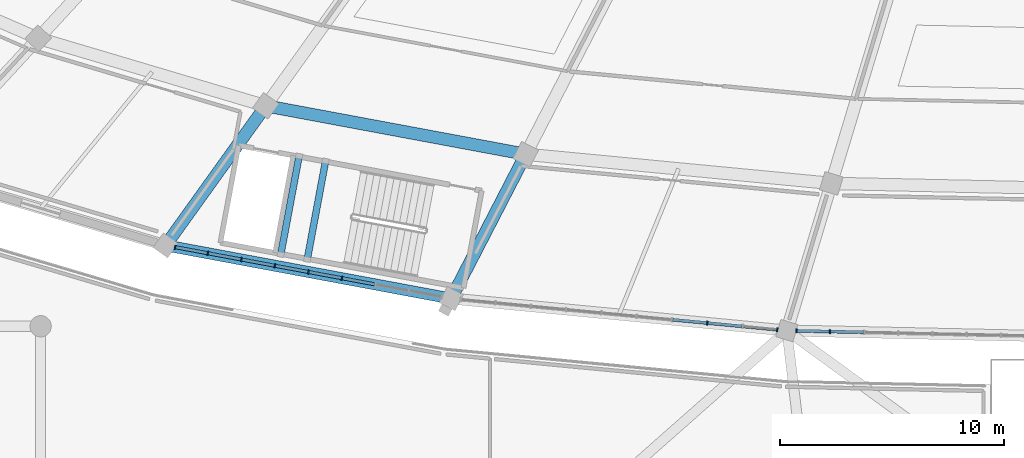
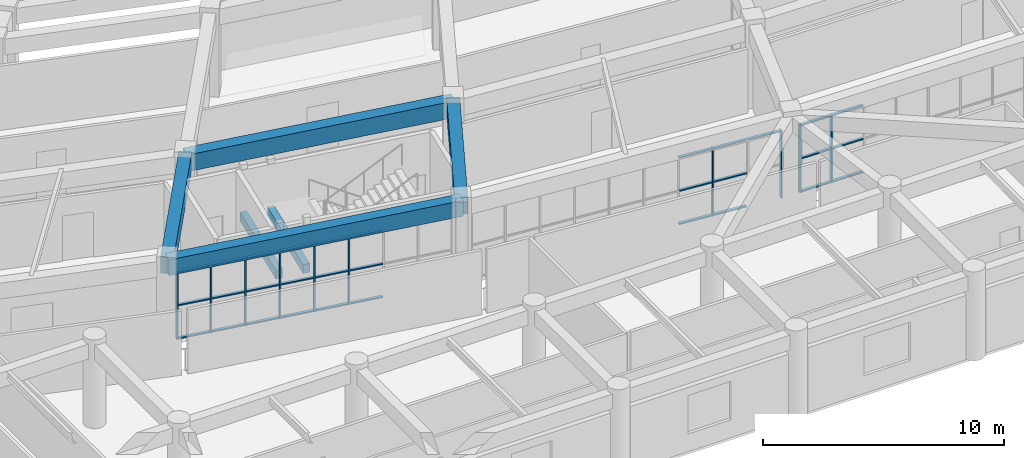
# One storey, part 21 of 145: 41 members, 6 beams, 3 elements without a shape of their own.
"""IFC4 building model written with IfcOpenShell, lengths in metres."""

from ifc_helpers import new_model, si_unit, direction, frame, origin, origin_2d, place, context, subcontext, project, spatial, rectangle, extrude, material, layer, layer_set, material_profile, profile_set, type_object, element, aggregate, save


model = new_model("IFC4")

# Units and contexts
model_context = context("Model", 3, precision=1e-05, world=origin(), true_north=direction((0.0, 1.0)))
body_context = subcontext(model_context, "Body", "Model", "MODEL_VIEW")
ifc_project = project(units=[si_unit("LENGTHUNIT", "METRE"), si_unit("AREAUNIT", "SQUARE_METRE"), si_unit("VOLUMEUNIT", "CUBIC_METRE"), si_unit("PLANEANGLEUNIT", "RADIAN"), si_unit("MASSUNIT", "GRAM", prefix="KILO")], contexts=[model_context])

# Site, building, storey
site_placement = place(None, origin())
site = spatial("IfcSite", under=ifc_project, at=site_placement, CompositionType="ELEMENT")
building_placement = place(site_placement, origin())
building = spatial("IfcBuilding", under=site, at=building_placement, Name="Mphavela Belvedere Stadium", CompositionType="ELEMENT")
storey_placement = place(building_placement, frame((0.0, 0.0, 10.199951171875)))
storey = spatial("IfcBuildingStorey", under=building, at=storey_placement, Name="L02", CompositionType="ELEMENT", Elevation=10.199951171875)

# Beams
ifc_material_1 = material(Name="Concrete C40/50", Category="concrete")
ifc_material_profile_1 = material_profile(ifc_material_1, rectangle(XDim=0.300048828125, YDim=0.449951171875, at=origin_2d()), Name="RC 300x450")
ifc_profile_set_1 = profile_set([ifc_material_profile_1], Name="Concrete C40/50")
beam_type_1 = type_object("IfcBeamType", Name="BM-RC300x450", PredefinedType="BEAM", material=ifc_profile_set_1)
for number, where, z_axis, x_axis, name in (
    (1, (72.329833984375, 21.36865234375, 1.824951171875), (-0.18307487535, -0.983098972645, 0.0), (0.983098972645, -0.18307487535, 0.0), "Core C11 landing trimmer beam L02-1"),
    (2, (71.150146484375, 21.58837890625, 1.824951171875), (-0.18307487535, -0.983098972645, 0.0), (0.983098972645, -0.18307487535, 0.0), "Core C11 landing trimmer beam L02-2"),
):
    element("IfcBeam", number, at=place(storey_placement, frame(where, z_axis=z_axis, x_axis=x_axis)), inside=storey, type_object=beam_type_1, Name=name, PredefinedType="BEAM", context=body_context, shape_type="SweptSolid", body=[
        extrude(rectangle(XDim=0.300048828125, YDim=0.449951171875, at=origin_2d()), origin(), (0.0, 0.0, 1.0), 4.469970703125),
    ])
ifc_material_2 = material(Name="Concrete C40/50", Category="concrete")
ifc_material_profile_2 = material_profile(ifc_material_2, rectangle(XDim=0.550048828125, YDim=0.85009765625, at=origin_2d()), Name="RC 550x850")
ifc_profile_set_2 = profile_set([ifc_material_profile_2], Name="Concrete C40/50")
beam_type_2 = type_object("IfcBeamType", Name="BM-RC550x850", PredefinedType="BEAM", material=ifc_profile_set_2)
beam_1_placement = place(storey_placement, frame((69.662109375, 23.822509765625, 3.824951171875), z_axis=(0.983097725009, -0.18308157494, 0.0), x_axis=(0.18308157494, 0.983097725009, 0.0)))
element("IfcBeam", 3, at=beam_1_placement, inside=storey, type_object=beam_type_2, Name="Circumferential girder L02 R3-34", PredefinedType="BEAM", context=body_context, shape_type="SweptSolid", body=[
    extrude(rectangle(XDim=0.550048828125, YDim=0.85009765625, at=origin_2d()), origin(), (0.0, 0.0, 1.0), 11.786865234375),
])
beam_2_placement = place(storey_placement, frame((69.662109375, 23.822509765625, 3.824951171875), z_axis=(-0.583043812448, -0.812440713385, 0.0), x_axis=(0.812440713385, -0.583043812448, 0.0)))
element("IfcBeam", 4, at=beam_2_placement, inside=storey, type_object=beam_type_2, Name="Radial concourse girder L02 R3R4-34", PredefinedType="BEAM", context=body_context, shape_type="SweptSolid", body=[
    extrude(rectangle(XDim=0.550048828125, YDim=0.85009765625, at=origin_2d()), origin(), (0.0, 0.0, 1.0), 7.6552734375),
])
beam_3_placement = place(storey_placement, frame((81.249755859375, 21.66455078125, 3.824951171875), z_axis=(-0.458951286165, -0.888461432436, 0.0), x_axis=(0.888461432436, -0.458951286165, 0.0)))
element("IfcBeam", 5, at=beam_3_placement, inside=storey, type_object=beam_type_2, Name="Radial concourse girder L02 R3R4-35", PredefinedType="BEAM", context=body_context, shape_type="SweptSolid", body=[
    extrude(rectangle(XDim=0.550048828125, YDim=0.85009765625, at=origin_2d()), origin(), (0.0, 0.0, 1.0), 7.2392578125),
])
ifc_material_3 = material(Name="Concrete C40/50", Category="concrete")
ifc_material_profile_3 = material_profile(ifc_material_3, rectangle(XDim=0.5, YDim=0.800048828125, at=origin_2d()), Name="RC 500x800")
ifc_profile_set_3 = profile_set([ifc_material_profile_3], Name="Concrete C40/50")
beam_type_3 = type_object("IfcBeamType", Name="BM-SPANDREL-800", PredefinedType="SPANDREL", material=ifc_profile_set_3)
beam_4_placement = place(storey_placement, frame((65.19873046875, 17.60302734375, 3.85009765625), z_axis=(0.983098571421, -0.183077029882, 0.0), x_axis=(0.183077029882, 0.983098571421, 0.0)))
element("IfcBeam", 6, at=beam_4_placement, inside=storey, type_object=beam_type_3, Name="Circumferential girder L02 R4-34", PredefinedType="SPANDREL", context=body_context, shape_type="SweptSolid", body=[
    extrude(rectangle(XDim=0.5, YDim=0.800048828125, at=origin_2d()), origin(), (0.0, 0.0, 1.0), 12.947265625),
])

# Curtain wall, members
ifc_material_4 = material(Name="Anodised bronze unitised curtain wall framing")
ifc_layer_1 = layer(ifc_material_4, 0.18505859375)
ifc_layer_set_1 = layer_set([ifc_layer_1], Name="Anodised bronze unitised curtain wall framing")
curtain_wall_type_1 = type_object("IfcCurtainWallType", Name="CW-UNIT-02", PredefinedType="USERDEFINED", material=ifc_layer_set_1)
curtain_wall_1_placement = place(storey_placement, origin())
curtain_wall_1 = element("IfcCurtainWall", 7, at=curtain_wall_1_placement, inside=storey, type_object=curtain_wall_type_1, Name="Belvedere colonnade curtain wall L02-34", ObjectType="UNITISED CURTAIN WALL", PredefinedType="USERDEFINED")
ifc_material_5 = material(Name="Anodised bronze extruded aluminium", Category="aluminium")
ifc_material_profile_4 = material_profile(ifc_material_5, rectangle(XDim=0.179931640625, YDim=0.06494140625, at=origin_2d()), Name="CW-MUL 180x65")
ifc_profile_set_4 = profile_set([ifc_material_profile_4], Name="Anodised bronze extruded aluminium")
member_type_1 = type_object("IfcMemberType", Name="CWM-180x65", PredefinedType="MULLION", material=ifc_profile_set_4)
member_1_placement = place(storey_placement, frame((65.6220703125, 17.524169921875, 0.0), z_axis=(0.0, 0.0, 1.0), x_axis=(0.1830849431, 0.983097097753, 0.0)))
member_1 = element("IfcMember", 8, at=member_1_placement, type_object=member_type_1, Name="CW-02 mullion 1", PredefinedType="MULLION", context=body_context, shape_type="SweptSolid", body=[
    extrude(rectangle(XDim=0.179931640625, YDim=0.06494140625, at=origin_2d()), origin(), (0.0, 0.0, 1.0), 3.420166015625),
])
member_2_placement = place(storey_placement, frame((67.083251953125, 17.252197265625, 0.0), z_axis=(0.0, 0.0, 1.0), x_axis=(0.1830849431, 0.983097097753, 0.0)))
member_2 = element("IfcMember", 9, at=member_2_placement, type_object=member_type_1, Name="CW-02 mullion 2", PredefinedType="MULLION", context=body_context, shape_type="SweptSolid", body=[
    extrude(rectangle(XDim=0.179931640625, YDim=0.06494140625, at=origin_2d()), origin(), (0.0, 0.0, 1.0), 3.420166015625),
])
member_3_placement = place(storey_placement, frame((68.57666015625, 16.97412109375, 0.0), z_axis=(0.0, 0.0, 1.0), x_axis=(0.1830849431, 0.983097097753, 0.0)))
member_3 = element("IfcMember", 10, at=member_3_placement, type_object=member_type_1, Name="CW-02 mullion 3", PredefinedType="MULLION", context=body_context, shape_type="SweptSolid", body=[
    extrude(rectangle(XDim=0.179931640625, YDim=0.06494140625, at=origin_2d()), origin(), (0.0, 0.0, 1.0), 3.420166015625),
])
member_4_placement = place(storey_placement, frame((70.06982421875, 16.696044921875, 0.0), z_axis=(0.0, 0.0, 1.0), x_axis=(0.1830849431, 0.983097097753, 0.0)))
member_4 = element("IfcMember", 11, at=member_4_placement, type_object=member_type_1, Name="CW-02 mullion 4", PredefinedType="MULLION", context=body_context, shape_type="SweptSolid", body=[
    extrude(rectangle(XDim=0.179931640625, YDim=0.06494140625, at=origin_2d()), origin(), (0.0, 0.0, 1.0), 3.420166015625),
])
member_5_placement = place(storey_placement, frame((71.56298828125, 16.41796875, 0.0), z_axis=(0.0, 0.0, 1.0), x_axis=(0.1830849431, 0.983097097753, 0.0)))
member_5 = element("IfcMember", 12, at=member_5_placement, type_object=member_type_1, Name="CW-02 mullion 5", PredefinedType="MULLION", context=body_context, shape_type="SweptSolid", body=[
    extrude(rectangle(XDim=0.179931640625, YDim=0.06494140625, at=origin_2d()), origin(), (0.0, 0.0, 1.0), 3.420166015625),
])
member_6_placement = place(storey_placement, frame((73.05615234375, 16.1396484375, 0.0), z_axis=(0.0, 0.0, 1.0), x_axis=(0.1830849431, 0.983097097753, 0.0)))
member_6 = element("IfcMember", 13, at=member_6_placement, type_object=member_type_1, Name="CW-02 mullion 6", PredefinedType="MULLION", context=body_context, shape_type="SweptSolid", body=[
    extrude(rectangle(XDim=0.179931640625, YDim=0.06494140625, at=origin_2d()), origin(), (0.0, 0.0, 1.0), 3.420166015625),
])

ifc_material_6 = material(Name="Anodised bronze unitised curtain wall framing")
ifc_layer_2 = layer(ifc_material_6, 0.18994140625)
ifc_layer_set_2 = layer_set([ifc_layer_2], Name="Anodised bronze unitised curtain wall framing")
curtain_wall_type_2 = type_object("IfcCurtainWallType", Name="CW-UNIT-03", PredefinedType="USERDEFINED", material=ifc_layer_set_2)
curtain_wall_2_placement = place(storey_placement, origin())
curtain_wall_2 = element("IfcCurtainWall", 14, at=curtain_wall_2_placement, inside=storey, type_object=curtain_wall_type_2, Name="Belvedere colonnade curtain wall L02-35", ObjectType="UNITISED CURTAIN WALL", PredefinedType="USERDEFINED")
member_7_placement = place(storey_placement, frame((89.34130859375, 14.144287109375, 0.0), z_axis=(0.0, 0.0, 1.0), x_axis=(0.094925825406, 0.99548434828, 0.0)))
member_7 = element("IfcMember", 15, at=member_7_placement, type_object=member_type_1, Name="CW-03 mullion 8", PredefinedType="MULLION", context=body_context, shape_type="SweptSolid", body=[
    extrude(rectangle(XDim=0.179931640625, YDim=0.06494140625, at=origin_2d()), origin(), (0.0, 0.0, 1.0), 3.420166015625),
])
member_8_placement = place(storey_placement, frame((92.456787109375, 13.84716796875, 0.0), z_axis=(0.0, 0.0, 1.0), x_axis=(0.094925825406, 0.99548434828, 0.0)))
member_8 = element("IfcMember", 16, at=member_8_placement, type_object=member_type_1, Name="CW-03 mullion 10", PredefinedType="MULLION", context=body_context, shape_type="SweptSolid", body=[
    extrude(rectangle(XDim=0.179931640625, YDim=0.06494140625, at=origin_2d()), origin(), (0.0, 0.0, 1.0), 3.420166015625),
])

ifc_material_7 = material(Name="Anodised bronze unitised curtain wall framing")
ifc_layer_3 = layer(ifc_material_7, 0.195068359375)
ifc_layer_set_3 = layer_set([ifc_layer_3], Name="Anodised bronze unitised curtain wall framing")
curtain_wall_type_3 = type_object("IfcCurtainWallType", Name="CW-UNIT-04", PredefinedType="USERDEFINED", material=ifc_layer_set_3)
curtain_wall_3_placement = place(storey_placement, origin())
curtain_wall_3 = element("IfcCurtainWall", 17, at=curtain_wall_3_placement, inside=storey, type_object=curtain_wall_type_3, Name="Belvedere colonnade curtain wall L02-36", ObjectType="UNITISED CURTAIN WALL", PredefinedType="USERDEFINED")
member_9_placement = place(storey_placement, frame((93.315673828125, 13.796875, 0.0), z_axis=(0.0, 0.0, 1.0), x_axis=(0.021525304021, 0.999768303802, 0.0)))
member_9 = element("IfcMember", 18, at=member_9_placement, type_object=member_type_1, Name="CW-04 mullion 1", PredefinedType="MULLION", context=body_context, shape_type="SweptSolid", body=[
    extrude(rectangle(XDim=0.179931640625, YDim=0.06494140625, at=origin_2d()), origin(), (0.0, 0.0, 1.0), 3.420166015625),
])
member_10_placement = place(storey_placement, frame((94.80615234375, 13.764892578125, 0.0), z_axis=(0.0, 0.0, 1.0), x_axis=(0.021525304021, 0.999768303802, 0.0)))
member_10 = element("IfcMember", 19, at=member_10_placement, type_object=member_type_1, Name="CW-04 mullion 2", PredefinedType="MULLION", context=body_context, shape_type="SweptSolid", body=[
    extrude(rectangle(XDim=0.179931640625, YDim=0.06494140625, at=origin_2d()), origin(), (0.0, 0.0, 1.0), 3.420166015625),
])

# Member
ifc_material_8 = material(Name="Anodised bronze extruded aluminium", Category="aluminium")
ifc_material_profile_5 = material_profile(ifc_material_8, rectangle(XDim=0.139892578125, YDim=0.06005859375, at=origin_2d()), Name="CW-TRN 140x60")
ifc_profile_set_5 = profile_set([ifc_material_profile_5], Name="Anodised bronze extruded aluminium")
member_type_2 = type_object("IfcMemberType", Name="CWT-140x60", PredefinedType="USERDEFINED", material=ifc_profile_set_5)
member_11_placement = place(storey_placement, frame((65.654052734375, 17.518310546875, 0.030029296875), z_axis=(0.98309123567, -0.183116417477, 0.0), x_axis=(0.183116417477, 0.98309123567, 0.0)))
member_11 = element("IfcMember", 20, at=member_11_placement, type_object=member_type_2, Name="CW-02 transom 1.1", ObjectType="TRANSOM", PredefinedType="USERDEFINED", context=body_context, shape_type="SweptSolid", body=[
    extrude(rectangle(XDim=0.139892578125, YDim=0.06005859375, at=origin_2d()), origin(), (0.0, 0.0, 1.0), 1.421142578125),
])

member_12_placement = place(storey_placement, frame((65.654052734375, 17.518310546875, 1.7099609375), z_axis=(0.98309123567, -0.183116417477, 0.0), x_axis=(0.183116417477, 0.98309123567, 0.0)))
member_12 = element("IfcMember", 21, at=member_12_placement, type_object=member_type_2, Name="CW-02 transom 1.2", ObjectType="TRANSOM", PredefinedType="USERDEFINED", context=body_context, shape_type="SweptSolid", body=[
    extrude(rectangle(XDim=0.139892578125, YDim=0.06005859375, at=origin_2d()), origin(), (0.0, 0.0, 1.0), 1.421142578125),
])

member_13_placement = place(storey_placement, frame((65.654052734375, 17.518310546875, 3.39013671875), z_axis=(0.98309123567, -0.183116417477, 0.0), x_axis=(0.183116417477, 0.98309123567, 0.0)))
member_13 = element("IfcMember", 22, at=member_13_placement, type_object=member_type_2, Name="CW-02 transom 1.3", ObjectType="TRANSOM", PredefinedType="USERDEFINED", context=body_context, shape_type="SweptSolid", body=[
    extrude(rectangle(XDim=0.139892578125, YDim=0.06005859375, at=origin_2d()), origin(), (0.0, 0.0, 1.0), 1.421142578125),
])

member_14_placement = place(storey_placement, frame((67.115234375, 17.24609375, 0.030029296875), z_axis=(0.983108977499, -0.18302114184, 0.0), x_axis=(0.18302114184, 0.983108977499, 0.0)))
member_14 = element("IfcMember", 23, at=member_14_placement, type_object=member_type_2, Name="CW-02 transom 2.1", ObjectType="TRANSOM", PredefinedType="USERDEFINED", context=body_context, shape_type="SweptSolid", body=[
    extrude(rectangle(XDim=0.139892578125, YDim=0.06005859375, at=origin_2d()), origin(), (0.0, 0.0, 1.0), 1.4541015625),
])

member_15_placement = place(storey_placement, frame((67.115234375, 17.24609375, 1.7099609375), z_axis=(0.983108977499, -0.18302114184, 0.0), x_axis=(0.18302114184, 0.983108977499, 0.0)))
member_15 = element("IfcMember", 24, at=member_15_placement, type_object=member_type_2, Name="CW-02 transom 2.2", ObjectType="TRANSOM", PredefinedType="USERDEFINED", context=body_context, shape_type="SweptSolid", body=[
    extrude(rectangle(XDim=0.139892578125, YDim=0.06005859375, at=origin_2d()), origin(), (0.0, 0.0, 1.0), 1.4541015625),
])

member_16_placement = place(storey_placement, frame((67.115234375, 17.24609375, 3.39013671875), z_axis=(0.983108977499, -0.18302114184, 0.0), x_axis=(0.18302114184, 0.983108977499, 0.0)))
member_16 = element("IfcMember", 25, at=member_16_placement, type_object=member_type_2, Name="CW-02 transom 2.3", ObjectType="TRANSOM", PredefinedType="USERDEFINED", context=body_context, shape_type="SweptSolid", body=[
    extrude(rectangle(XDim=0.139892578125, YDim=0.06005859375, at=origin_2d()), origin(), (0.0, 0.0, 1.0), 1.4541015625),
])

member_17_placement = place(storey_placement, frame((68.6083984375, 16.968017578125, 0.030029296875), z_axis=(0.983108977499, -0.18302114184, 0.0), x_axis=(0.18302114184, 0.983108977499, 0.0)))
member_17 = element("IfcMember", 26, at=member_17_placement, type_object=member_type_2, Name="CW-02 transom 3.1", ObjectType="TRANSOM", PredefinedType="USERDEFINED", context=body_context, shape_type="SweptSolid", body=[
    extrude(rectangle(XDim=0.139892578125, YDim=0.06005859375, at=origin_2d()), origin(), (0.0, 0.0, 1.0), 1.4541015625),
])

member_18_placement = place(storey_placement, frame((68.6083984375, 16.968017578125, 1.7099609375), z_axis=(0.983108977499, -0.18302114184, 0.0), x_axis=(0.18302114184, 0.983108977499, 0.0)))
member_18 = element("IfcMember", 27, at=member_18_placement, type_object=member_type_2, Name="CW-02 transom 3.2", ObjectType="TRANSOM", PredefinedType="USERDEFINED", context=body_context, shape_type="SweptSolid", body=[
    extrude(rectangle(XDim=0.139892578125, YDim=0.06005859375, at=origin_2d()), origin(), (0.0, 0.0, 1.0), 1.4541015625),
])

member_19_placement = place(storey_placement, frame((68.6083984375, 16.968017578125, 3.39013671875), z_axis=(0.983108977499, -0.18302114184, 0.0), x_axis=(0.18302114184, 0.983108977499, 0.0)))
member_19 = element("IfcMember", 28, at=member_19_placement, type_object=member_type_2, Name="CW-02 transom 3.3", ObjectType="TRANSOM", PredefinedType="USERDEFINED", context=body_context, shape_type="SweptSolid", body=[
    extrude(rectangle(XDim=0.139892578125, YDim=0.06005859375, at=origin_2d()), origin(), (0.0, 0.0, 1.0), 1.4541015625),
])

member_20_placement = place(storey_placement, frame((70.101806640625, 16.68994140625, 0.030029296875), z_axis=(0.983103351692, -0.183051358617, 0.0), x_axis=(0.183051358617, 0.983103351692, 0.0)))
member_20 = element("IfcMember", 29, at=member_20_placement, type_object=member_type_2, Name="CW-02 transom 4.1", ObjectType="TRANSOM", PredefinedType="USERDEFINED", context=body_context, shape_type="SweptSolid", body=[
    extrude(rectangle(XDim=0.139892578125, YDim=0.06005859375, at=origin_2d()), origin(), (0.0, 0.0, 1.0), 1.453857421875),
])

member_21_placement = place(storey_placement, frame((70.101806640625, 16.68994140625, 1.7099609375), z_axis=(0.983103351692, -0.183051358617, 0.0), x_axis=(0.183051358617, 0.983103351692, 0.0)))
member_21 = element("IfcMember", 30, at=member_21_placement, type_object=member_type_2, Name="CW-02 transom 4.2", ObjectType="TRANSOM", PredefinedType="USERDEFINED", context=body_context, shape_type="SweptSolid", body=[
    extrude(rectangle(XDim=0.139892578125, YDim=0.06005859375, at=origin_2d()), origin(), (0.0, 0.0, 1.0), 1.453857421875),
])

member_22_placement = place(storey_placement, frame((70.101806640625, 16.68994140625, 3.39013671875), z_axis=(0.983103351692, -0.183051358617, 0.0), x_axis=(0.183051358617, 0.983103351692, 0.0)))
member_22 = element("IfcMember", 31, at=member_22_placement, type_object=member_type_2, Name="CW-02 transom 4.3", ObjectType="TRANSOM", PredefinedType="USERDEFINED", context=body_context, shape_type="SweptSolid", body=[
    extrude(rectangle(XDim=0.139892578125, YDim=0.06005859375, at=origin_2d()), origin(), (0.0, 0.0, 1.0), 1.453857421875),
])

member_23_placement = place(storey_placement, frame((71.594970703125, 16.411865234375, 0.030029296875), z_axis=(0.983103351692, -0.183051358617, 0.0), x_axis=(0.183051358617, 0.983103351692, 0.0)))
member_23 = element("IfcMember", 32, at=member_23_placement, type_object=member_type_2, Name="CW-02 transom 5.1", ObjectType="TRANSOM", PredefinedType="USERDEFINED", context=body_context, shape_type="SweptSolid", body=[
    extrude(rectangle(XDim=0.139892578125, YDim=0.06005859375, at=origin_2d()), origin(), (0.0, 0.0, 1.0), 1.453857421875),
])

member_24_placement = place(storey_placement, frame((71.594970703125, 16.411865234375, 1.7099609375), z_axis=(0.983103351692, -0.183051358617, 0.0), x_axis=(0.183051358617, 0.983103351692, 0.0)))
member_24 = element("IfcMember", 33, at=member_24_placement, type_object=member_type_2, Name="CW-02 transom 5.2", ObjectType="TRANSOM", PredefinedType="USERDEFINED", context=body_context, shape_type="SweptSolid", body=[
    extrude(rectangle(XDim=0.139892578125, YDim=0.06005859375, at=origin_2d()), origin(), (0.0, 0.0, 1.0), 1.453857421875),
])

member_25_placement = place(storey_placement, frame((71.594970703125, 16.411865234375, 3.39013671875), z_axis=(0.983103351692, -0.183051358617, 0.0), x_axis=(0.183051358617, 0.983103351692, 0.0)))
member_25 = element("IfcMember", 34, at=member_25_placement, type_object=member_type_2, Name="CW-02 transom 5.3", ObjectType="TRANSOM", PredefinedType="USERDEFINED", context=body_context, shape_type="SweptSolid", body=[
    extrude(rectangle(XDim=0.139892578125, YDim=0.06005859375, at=origin_2d()), origin(), (0.0, 0.0, 1.0), 1.453857421875),
])

member_26_placement = place(storey_placement, frame((73.088134765625, 16.1337890625, 0.030029296875), z_axis=(0.983108977499, -0.18302114184, 0.0), x_axis=(0.18302114184, 0.983108977499, 0.0)))
member_26 = element("IfcMember", 35, at=member_26_placement, type_object=member_type_2, Name="CW-02 transom 6.1", ObjectType="TRANSOM", PredefinedType="USERDEFINED", context=body_context, shape_type="SweptSolid", body=[
    extrude(rectangle(XDim=0.139892578125, YDim=0.06005859375, at=origin_2d()), origin(), (0.0, 0.0, 1.0), 1.4541015625),
])

member_27_placement = place(storey_placement, frame((73.088134765625, 16.1337890625, 1.7099609375), z_axis=(0.983108977499, -0.18302114184, 0.0), x_axis=(0.18302114184, 0.983108977499, 0.0)))
member_27 = element("IfcMember", 36, at=member_27_placement, type_object=member_type_2, Name="CW-02 transom 6.2", ObjectType="TRANSOM", PredefinedType="USERDEFINED", context=body_context, shape_type="SweptSolid", body=[
    extrude(rectangle(XDim=0.139892578125, YDim=0.06005859375, at=origin_2d()), origin(), (0.0, 0.0, 1.0), 1.4541015625),
])

member_28_placement = place(storey_placement, frame((73.088134765625, 16.1337890625, 3.39013671875), z_axis=(0.983108977499, -0.18302114184, 0.0), x_axis=(0.18302114184, 0.983108977499, 0.0)))
member_28 = element("IfcMember", 37, at=member_28_placement, type_object=member_type_2, Name="CW-02 transom 6.3", ObjectType="TRANSOM", PredefinedType="USERDEFINED", context=body_context, shape_type="SweptSolid", body=[
    extrude(rectangle(XDim=0.139892578125, YDim=0.06005859375, at=origin_2d()), origin(), (0.0, 0.0, 1.0), 1.4541015625),
])

aggregate(curtain_wall_1, [member_1, member_2, member_3, member_4, member_5, member_6, member_11, member_12, member_13, member_14, member_15, member_16, member_17, member_18, member_19, member_20, member_21, member_22, member_23, member_24, member_25, member_26, member_27, member_28])

member_29_placement = place(storey_placement, frame((87.799560546875, 14.291259765625, 0.030029296875), z_axis=(0.995476636203, -0.095006666994, 0.0), x_axis=(0.095006666994, 0.995476636203, 0.0)))
member_29 = element("IfcMember", 38, at=member_29_placement, type_object=member_type_2, Name="CW-03 transom 7.1", ObjectType="TRANSOM", PredefinedType="USERDEFINED", context=body_context, shape_type="SweptSolid", body=[
    extrude(rectangle(XDim=0.139892578125, YDim=0.06005859375, at=origin_2d()), origin(), (0.0, 0.0, 1.0), 1.51611328125),
])

member_30_placement = place(storey_placement, frame((87.799560546875, 14.291259765625, 1.7099609375), z_axis=(0.995476636203, -0.095006666994, 0.0), x_axis=(0.095006666994, 0.995476636203, 0.0)))
member_30 = element("IfcMember", 39, at=member_30_placement, type_object=member_type_2, Name="CW-03 transom 7.2", ObjectType="TRANSOM", PredefinedType="USERDEFINED", context=body_context, shape_type="SweptSolid", body=[
    extrude(rectangle(XDim=0.139892578125, YDim=0.06005859375, at=origin_2d()), origin(), (0.0, 0.0, 1.0), 1.51611328125),
])

member_31_placement = place(storey_placement, frame((87.799560546875, 14.291259765625, 3.39013671875), z_axis=(0.995476636203, -0.095006666994, 0.0), x_axis=(0.095006666994, 0.995476636203, 0.0)))
member_31 = element("IfcMember", 40, at=member_31_placement, type_object=member_type_2, Name="CW-03 transom 7.3", ObjectType="TRANSOM", PredefinedType="USERDEFINED", context=body_context, shape_type="SweptSolid", body=[
    extrude(rectangle(XDim=0.139892578125, YDim=0.06005859375, at=origin_2d()), origin(), (0.0, 0.0, 1.0), 1.51611328125),
])

member_32_placement = place(storey_placement, frame((89.37353515625, 14.14111328125, 0.030029296875), z_axis=(0.995476636203, -0.095006666994, 0.0), x_axis=(0.095006666994, 0.995476636203, 0.0)))
member_32 = element("IfcMember", 41, at=member_32_placement, type_object=member_type_2, Name="CW-03 transom 8.1", ObjectType="TRANSOM", PredefinedType="USERDEFINED", context=body_context, shape_type="SweptSolid", body=[
    extrude(rectangle(XDim=0.139892578125, YDim=0.06005859375, at=origin_2d()), origin(), (0.0, 0.0, 1.0), 1.51611328125),
])

member_33_placement = place(storey_placement, frame((89.37353515625, 14.14111328125, 1.7099609375), z_axis=(0.995476636203, -0.095006666994, 0.0), x_axis=(0.095006666994, 0.995476636203, 0.0)))
member_33 = element("IfcMember", 42, at=member_33_placement, type_object=member_type_2, Name="CW-03 transom 8.2", ObjectType="TRANSOM", PredefinedType="USERDEFINED", context=body_context, shape_type="SweptSolid", body=[
    extrude(rectangle(XDim=0.139892578125, YDim=0.06005859375, at=origin_2d()), origin(), (0.0, 0.0, 1.0), 1.51611328125),
])

member_34_placement = place(storey_placement, frame((89.37353515625, 14.14111328125, 3.39013671875), z_axis=(0.995476636203, -0.095006666994, 0.0), x_axis=(0.095006666994, 0.995476636203, 0.0)))
member_34 = element("IfcMember", 43, at=member_34_placement, type_object=member_type_2, Name="CW-03 transom 8.3", ObjectType="TRANSOM", PredefinedType="USERDEFINED", context=body_context, shape_type="SweptSolid", body=[
    extrude(rectangle(XDim=0.139892578125, YDim=0.06005859375, at=origin_2d()), origin(), (0.0, 0.0, 1.0), 1.51611328125),
])

member_35_placement = place(storey_placement, frame((90.947509765625, 13.990966796875, 3.39013671875), z_axis=(0.995482892046, -0.094941095655, 0.0), x_axis=(0.094941095655, 0.995482892046, 0.0)))
member_35 = element("IfcMember", 44, at=member_35_placement, type_object=member_type_2, Name="CW-03 transom 9.3", ObjectType="TRANSOM", PredefinedType="USERDEFINED", context=body_context, shape_type="SweptSolid", body=[
    extrude(rectangle(XDim=0.139892578125, YDim=0.06005859375, at=origin_2d()), origin(), (0.0, 0.0, 1.0), 1.483642578125),
])

aggregate(curtain_wall_2, [member_7, member_8, member_29, member_30, member_31, member_32, member_33, member_34, member_35])

member_36_placement = place(storey_placement, frame((93.348388671875, 13.796142578125, 0.030029296875), z_axis=(0.999770853856, -0.021406535925, 0.0), x_axis=(0.021406535925, 0.999770853856, 0.0)))
member_36 = element("IfcMember", 45, at=member_36_placement, type_object=member_type_2, Name="CW-04 transom 1.1", ObjectType="TRANSOM", PredefinedType="USERDEFINED", context=body_context, shape_type="SweptSolid", body=[
    extrude(rectangle(XDim=0.139892578125, YDim=0.06005859375, at=origin_2d()), origin(), (0.0, 0.0, 1.0), 1.425537109375),
])

member_37_placement = place(storey_placement, frame((93.348388671875, 13.796142578125, 1.7099609375), z_axis=(0.999770853856, -0.021406535925, 0.0), x_axis=(0.021406535925, 0.999770853856, 0.0)))
member_37 = element("IfcMember", 46, at=member_37_placement, type_object=member_type_2, Name="CW-04 transom 1.2", ObjectType="TRANSOM", PredefinedType="USERDEFINED", context=body_context, shape_type="SweptSolid", body=[
    extrude(rectangle(XDim=0.139892578125, YDim=0.06005859375, at=origin_2d()), origin(), (0.0, 0.0, 1.0), 1.425537109375),
])

member_38_placement = place(storey_placement, frame((93.348388671875, 13.796142578125, 3.39013671875), z_axis=(0.999770853856, -0.021406535925, 0.0), x_axis=(0.021406535925, 0.999770853856, 0.0)))
member_38 = element("IfcMember", 47, at=member_38_placement, type_object=member_type_2, Name="CW-04 transom 1.3", ObjectType="TRANSOM", PredefinedType="USERDEFINED", context=body_context, shape_type="SweptSolid", body=[
    extrude(rectangle(XDim=0.139892578125, YDim=0.06005859375, at=origin_2d()), origin(), (0.0, 0.0, 1.0), 1.425537109375),
])

member_39_placement = place(storey_placement, frame((94.838623046875, 13.76416015625, 0.030029296875), z_axis=(0.999766706153, -0.021599381191, 0.0), x_axis=(0.021599381191, 0.999766706153, 0.0)))
member_39 = element("IfcMember", 48, at=member_39_placement, type_object=member_type_2, Name="CW-04 transom 2.1", ObjectType="TRANSOM", PredefinedType="USERDEFINED", context=body_context, shape_type="SweptSolid", body=[
    extrude(rectangle(XDim=0.139892578125, YDim=0.06005859375, at=origin_2d()), origin(), (0.0, 0.0, 1.0), 1.4580078125),
])

member_40_placement = place(storey_placement, frame((94.838623046875, 13.76416015625, 1.7099609375), z_axis=(0.999766706153, -0.021599381191, 0.0), x_axis=(0.021599381191, 0.999766706153, 0.0)))
member_40 = element("IfcMember", 49, at=member_40_placement, type_object=member_type_2, Name="CW-04 transom 2.2", ObjectType="TRANSOM", PredefinedType="USERDEFINED", context=body_context, shape_type="SweptSolid", body=[
    extrude(rectangle(XDim=0.139892578125, YDim=0.06005859375, at=origin_2d()), origin(), (0.0, 0.0, 1.0), 1.4580078125),
])

member_41_placement = place(storey_placement, frame((94.838623046875, 13.76416015625, 3.39013671875), z_axis=(0.999766706153, -0.021599381191, 0.0), x_axis=(0.021599381191, 0.999766706153, 0.0)))
member_41 = element("IfcMember", 50, at=member_41_placement, type_object=member_type_2, Name="CW-04 transom 2.3", ObjectType="TRANSOM", PredefinedType="USERDEFINED", context=body_context, shape_type="SweptSolid", body=[
    extrude(rectangle(XDim=0.139892578125, YDim=0.06005859375, at=origin_2d()), origin(), (0.0, 0.0, 1.0), 1.4580078125),
])

aggregate(curtain_wall_3, [member_9, member_10, member_36, member_37, member_38, member_39, member_40, member_41])

save(model, "model.ifc")
